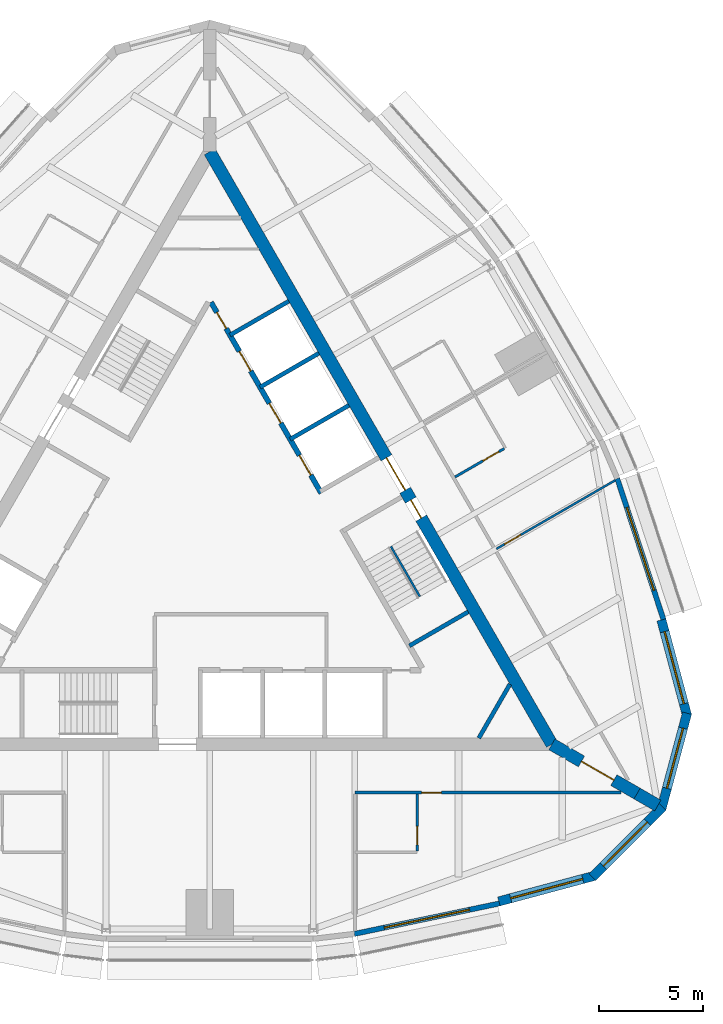
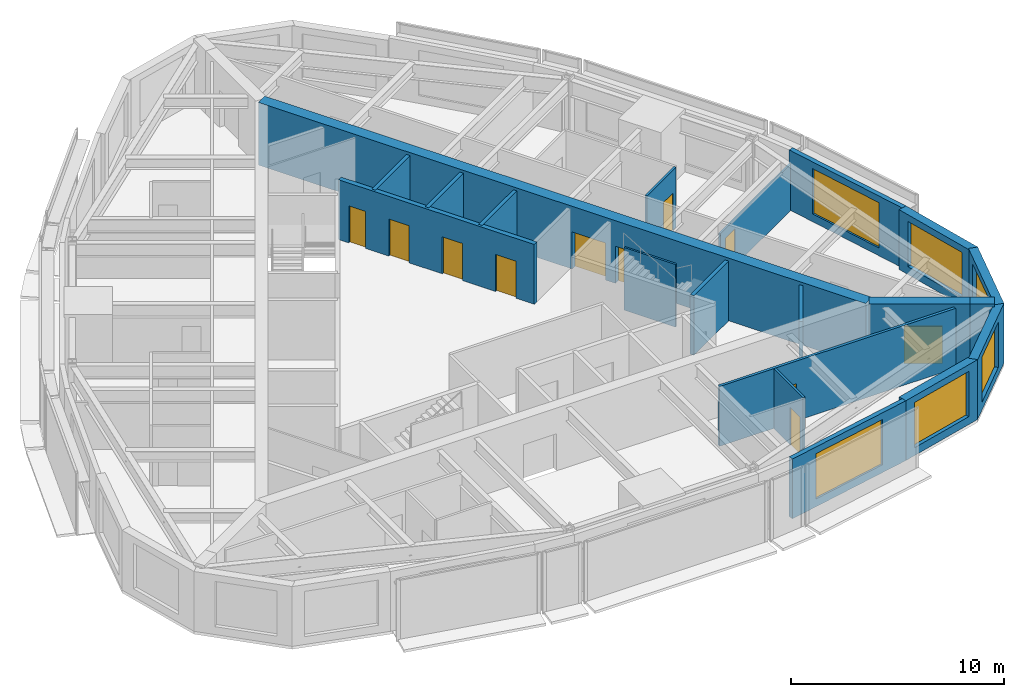
# One storey, part 9 of 12: 20 walls, 11 doors, 6 windows, 17 openings.
"""IFC4 building model written with IfcOpenShell, lengths in metres."""

from ifc_helpers import new_model, si_unit, direction, frame, frame_2d, origin, place, context, subcontext, project, spatial, polyline, rectangle, outline, extrude, material, layer, layer_set, type_object, element, fill, save


model = new_model("IFC4")

# Units and contexts
model_context = context("Model", 3, precision=1e-05, world=origin(), true_north=direction((0.0, 1.0)))
body_context = subcontext(model_context, "Body", "Model", "MODEL_VIEW")
ifc_project = project(units=[si_unit("LENGTHUNIT", "METRE"), si_unit("AREAUNIT", "SQUARE_METRE"), si_unit("VOLUMEUNIT", "CUBIC_METRE"), si_unit("PLANEANGLEUNIT", "RADIAN"), si_unit("MASSUNIT", "GRAM", prefix="KILO")], contexts=[model_context])

# Site, building, storey
site_placement = place(None, origin())
site = spatial("IfcSite", under=ifc_project, at=site_placement, CompositionType="ELEMENT")
building_placement = place(site_placement, origin())
building = spatial("IfcBuilding", under=site, at=building_placement, Name="Trikona Tower", CompositionType="ELEMENT")
storey_placement = place(building_placement, frame((0.0, 0.0, 250.10009765625)))
storey = spatial("IfcBuildingStorey", under=building, at=storey_placement, Name="L66", CompositionType="ELEMENT", Elevation=250.10009765625)

# Wall, opening, door
ifc_material_1 = material(Name="Metal stud and cement board", Category="gypsum")
ifc_layer_1 = layer(ifc_material_1, 0.1201171875)
ifc_layer_set_1 = layer_set([ifc_layer_1], Name="Bathroom wall 120")
wall_type_1 = type_object("IfcWallType", Name="Bathroom wall 120", PredefinedType="PLUMBINGWALL", material=ifc_layer_set_1)
wall_1_placement = place(storey_placement, frame((10.0, -11.92626953125, 0.0), z_axis=(0.0, 0.0, 1.0), x_axis=(0.0, -1.0, 0.0)))
wall_1 = element("IfcWall", 1, at=wall_1_placement, inside=storey, type_object=wall_type_1, Name="Bathroom wall 6602", PredefinedType="PLUMBINGWALL", context=body_context, shape_type="SweptSolid", body=[
    extrude(rectangle(XDim=2.739990234375, YDim=0.1201171875, at=frame_2d((1.3701171875, 0.0))), origin(), (0.0, 0.0, 1.0), 3.434814453125),
])
opening_1_placement = place(wall_1_placement, frame((1.550048828125, 0.0, 0.0)))
opening_1 = element("IfcOpeningElement", 2, at=opening_1_placement, cuts=wall_1, Name="Opening D2", PredefinedType="OPENING", context=body_context, shape_type="SweptSolid", body=[
    extrude(rectangle(XDim=0.89990234375, YDim=2.1298828125, at=frame_2d((0.449951171875, 1.06494140625))), frame((0.0, 0.070068359375, 0.0), z_axis=(0.0, -1.0, 0.0), x_axis=(1.0, 0.0, 0.0)), (0.0, 0.0, 1.0), 0.14013671875),
])
ifc_material_2 = material(Name="Steel door frame with solid-core timber leaf", Category="steel")
door_type_1 = type_object("IfcDoorType", Name="Bathroom door 900x2130", OperationType="SLIDING_TO_LEFT", PredefinedType="DOOR", material=ifc_material_2)
door_1_placement = place(opening_1_placement, origin())
door_1 = element("IfcDoor", 3, at=door_1_placement, inside=storey, type_object=door_type_1, Name="Bathroom door 6602", OperationType="SLIDING_TO_LEFT", OverallHeight=2.1298828125, OverallWidth=0.89990234375, PredefinedType="DOOR", context=body_context, shape_type="SweptSolid", body=[
    extrude(rectangle(XDim=0.89990234375, YDim=2.1298828125, at=frame_2d((0.449951171875, 1.06494140625))), frame((0.0, 0.02490234375, 0.0), z_axis=(0.0, -1.0, 0.0), x_axis=(1.0, 0.0, 0.0)), (0.0, 0.0, 1.0), 0.050048828125),
])
fill(opening_1, door_1)

wall_2_placement = place(storey_placement, frame((11.82861328125, 3.364990234375, 0.0), z_axis=(0.0, 0.0, 1.0), x_axis=(0.865997131366, 0.500048966069, 0.0)))
wall_2 = element("IfcWall", 4, at=wall_2_placement, inside=storey, type_object=wall_type_1, Name="Bathroom wall 6603.1", PredefinedType="PLUMBINGWALL", context=body_context, shape_type="SweptSolid", body=[
    extrude(rectangle(XDim=2.739990234375, YDim=0.1201171875, at=frame_2d((1.3701171875, 0.0))), origin(), (0.0, 0.0, 1.0), 3.434814453125),
])
opening_2_placement = place(wall_2_placement, frame((1.550048828125, 0.0, 0.0)))
opening_2 = element("IfcOpeningElement", 5, at=opening_2_placement, cuts=wall_2, Name="Opening D2", PredefinedType="OPENING", context=body_context, shape_type="SweptSolid", body=[
    extrude(rectangle(XDim=0.89990234375, YDim=2.1298828125, at=frame_2d((0.449951171875, 1.06494140625))), frame((0.0, 0.070068359375, 0.0), z_axis=(0.0, -1.0, 0.0), x_axis=(1.0, 0.0, 0.0)), (0.0, 0.0, 1.0), 0.14013671875),
])
door_2_placement = place(opening_2_placement, origin())
door_2 = element("IfcDoor", 6, at=door_2_placement, inside=storey, type_object=door_type_1, Name="Bathroom door 6603.1", OperationType="SLIDING_TO_LEFT", OverallHeight=2.1298828125, OverallWidth=0.89990234375, PredefinedType="DOOR", context=body_context, shape_type="SweptSolid", body=[
    extrude(rectangle(XDim=0.89990234375, YDim=2.1298828125, at=frame_2d((0.449951171875, 1.06494140625))), frame((0.0, 0.02490234375, 0.0), z_axis=(0.0, -1.0, 0.0), x_axis=(1.0, 0.0, 0.0)), (0.0, 0.0, 1.0), 0.050048828125),
])
fill(opening_2, door_2)

# Wall, opening, window
ifc_material_3 = material(Name="Brick-faced precast concrete", Category="masonry")
ifc_layer_2 = layer(ifc_material_3, 0.449951171875)
ifc_layer_set_2 = layer_set([ifc_layer_2], Name="Brick-faced corner wall 450")
wall_type_2 = type_object("IfcWallType", Name="Brick-faced corner wall 450", PredefinedType="SOLIDWALL", material=ifc_layer_set_2)
wall_3_placement = place(storey_placement, frame((13.94189453125, -17.103271484375, 0.0), z_axis=(0.0, 0.0, 1.0), x_axis=(0.965913862671, 0.258863689806, 0.0)))
wall_3 = element("IfcWall", 7, at=wall_3_placement, inside=storey, type_object=wall_type_2, Name="External wall L66-05", PredefinedType="SOLIDWALL", context=body_context, shape_type="SweptSolid", body=[
    extrude(rectangle(XDim=4.78173828125, YDim=0.449951171875, at=frame_2d((2.390869140625, 0.0))), origin(), (0.0, 0.0, 1.0), 3.434814453125),
])
opening_3_placement = place(wall_3_placement, frame((0.5908203125, 0.0, 0.449951171875)))
opening_3 = element("IfcOpeningElement", 8, at=opening_3_placement, cuts=wall_3, Name="Opening W3626", PredefinedType="OPENING", context=body_context, shape_type="SweptSolid", body=[
    extrude(rectangle(XDim=3.60009765625, YDim=2.60009765625, at=frame_2d((1.800048828125, 1.300048828125))), frame((0.0, 0.23486328125, 0.0), z_axis=(0.0, -1.0, 0.0), x_axis=(1.0, 0.0, 0.0)), (0.0, 0.0, 1.0), 0.469970703125),
])
ifc_material_4 = material(Name="Aluminium-framed double glazing", Category="aluminium")
window_type_1 = type_object("IfcWindowType", Name="Window 3600x2600", PartitioningType="SINGLE_PANEL", PredefinedType="WINDOW", material=ifc_material_4)
window_1_placement = place(opening_3_placement, origin())
window_1 = element("IfcWindow", 9, at=window_1_placement, inside=storey, type_object=window_type_1, Name="Window 6602", OverallHeight=2.60009765625, OverallWidth=3.60009765625, PartitioningType="SINGLE_PANEL", PredefinedType="WINDOW", context=body_context, shape_type="SweptSolid", body=[
    extrude(rectangle(XDim=3.60009765625, YDim=2.60009765625, at=frame_2d((1.800048828125, 1.300048828125))), frame((0.0, 0.030029296875, 0.0), z_axis=(0.0, -1.0, 0.0), x_axis=(1.0, 0.0, 0.0)), (0.0, 0.0, 1.0), 0.06005859375),
])
fill(opening_3, window_1)

wall_4_placement = place(storey_placement, frame((18.459716796875, -15.923828125, 0.0), z_axis=(0.0, 0.0, 1.0), x_axis=(0.707081252484, 0.707132308968, 0.0)))
wall_4 = element("IfcWall", 10, at=wall_4_placement, inside=storey, type_object=wall_type_2, Name="External wall L66-06", PredefinedType="SOLIDWALL", context=body_context, shape_type="SweptSolid", body=[
    extrude(outline(polyline([(4.78173828125, 0.22509765625), (4.722900390625, 0.22509765625), (4.37548828125, 0.1318359375), (4.3505859375, 0.22509765625), (0.0, 0.22509765625), (0.0, -0.22509765625), (4.78173828125, -0.22509765625), (4.78173828125, 0.22509765625)])), origin(), (0.0, 0.0, 1.0), 3.434814453125),
])
opening_4_placement = place(wall_4_placement, frame((0.750244140625, 0.0, 0.449951171875)))
opening_4 = element("IfcOpeningElement", 11, at=opening_4_placement, cuts=wall_4, Name="Opening W3026", PredefinedType="OPENING", context=body_context, shape_type="SweptSolid", body=[
    extrude(rectangle(XDim=3.0, YDim=2.60009765625, at=frame_2d((1.5, 1.300048828125))), frame((0.0, 0.23486328125, 0.0), z_axis=(0.0, -1.0, 0.0), x_axis=(1.0, 0.0, 0.0)), (0.0, 0.0, 1.0), 0.469970703125),
])
ifc_material_5 = material(Name="Aluminium-framed double glazing", Category="aluminium")
window_type_2 = type_object("IfcWindowType", Name="Window 3000x2600", PartitioningType="SINGLE_PANEL", PredefinedType="WINDOW", material=ifc_material_5)
window_2_placement = place(opening_4_placement, origin())
window_2 = element("IfcWindow", 12, at=window_2_placement, inside=storey, type_object=window_type_2, Name="Window 6602", OverallHeight=2.60009765625, OverallWidth=3.0, PartitioningType="SINGLE_PANEL", PredefinedType="WINDOW", context=body_context, shape_type="SweptSolid", body=[
    extrude(rectangle(XDim=3.0, YDim=2.60009765625, at=frame_2d((1.5, 1.300048828125))), frame((0.0, 0.030029296875, 0.0), z_axis=(0.0, -1.0, 0.0), x_axis=(1.0, 0.0, 0.0)), (0.0, 0.0, 1.0), 0.06005859375),
])
fill(opening_4, window_2)

wall_5_placement = place(storey_placement, frame((21.78271484375, -12.6435546875, 0.0), z_axis=(0.0, 0.0, 1.0), x_axis=(0.25880328844, 0.965930048136, 0.0)))
wall_5 = element("IfcWall", 13, at=wall_5_placement, inside=storey, type_object=wall_type_2, Name="External wall L66-07", PredefinedType="SOLIDWALL", context=body_context, shape_type="SweptSolid", body=[
    extrude(outline(polyline([(4.78173828125, 0.22509765625), (0.43115234375, 0.22509765625), (0.40625, 0.132080078125), (0.0595703125, 0.22509765625), (0.0, 0.22509765625), (0.0, -0.22509765625), (4.78173828125, -0.22509765625), (4.78173828125, 0.22509765625)])), origin(), (0.0, 0.0, 1.0), 3.434814453125),
])
opening_5_placement = place(wall_5_placement, frame((1.031494140625, 0.0, 0.449951171875)))
opening_5 = element("IfcOpeningElement", 14, at=opening_5_placement, cuts=wall_5, Name="Opening W3026", PredefinedType="OPENING", context=body_context, shape_type="SweptSolid", body=[
    extrude(rectangle(XDim=3.0, YDim=2.60009765625, at=frame_2d((1.5, 1.300048828125))), frame((0.0, 0.23486328125, 0.0), z_axis=(0.0, -1.0, 0.0), x_axis=(1.0, 0.0, 0.0)), (0.0, 0.0, 1.0), 0.469970703125),
])
window_3_placement = place(opening_5_placement, origin())
window_3 = element("IfcWindow", 15, at=window_3_placement, inside=storey, type_object=window_type_2, Name="Window 6603", OverallHeight=2.60009765625, OverallWidth=3.0, PartitioningType="SINGLE_PANEL", PredefinedType="WINDOW", context=body_context, shape_type="SweptSolid", body=[
    extrude(rectangle(XDim=3.0, YDim=2.60009765625, at=frame_2d((1.5, 1.300048828125))), frame((0.0, 0.030029296875, 0.0), z_axis=(0.0, -1.0, 0.0), x_axis=(1.0, 0.0, 0.0)), (0.0, 0.0, 1.0), 0.06005859375),
])
fill(opening_5, window_3)

wall_6_placement = place(storey_placement, frame((23.020263671875, -8.14111328125, 0.0), z_axis=(0.0, 0.0, 1.0), x_axis=(-0.25880328844, 0.965930048136, 0.0)))
wall_6 = element("IfcWall", 16, at=wall_6_placement, inside=storey, type_object=wall_type_2, Name="External wall L66-08", PredefinedType="SOLIDWALL", context=body_context, shape_type="SweptSolid", body=[
    extrude(rectangle(XDim=4.78173828125, YDim=0.449951171875, at=frame_2d((2.390869140625, 0.0))), origin(), (0.0, 0.0, 1.0), 3.434814453125),
])
opening_6_placement = place(wall_6_placement, frame((0.5908203125, 0.0, 0.449951171875)))
opening_6 = element("IfcOpeningElement", 17, at=opening_6_placement, cuts=wall_6, Name="Opening W3626", PredefinedType="OPENING", context=body_context, shape_type="SweptSolid", body=[
    extrude(rectangle(XDim=3.60009765625, YDim=2.60009765625, at=frame_2d((1.800048828125, 1.300048828125))), frame((0.0, 0.23486328125, 0.0), z_axis=(0.0, -1.0, 0.0), x_axis=(1.0, 0.0, 0.0)), (0.0, 0.0, 1.0), 0.469970703125),
])
window_4_placement = place(opening_6_placement, origin())
window_4 = element("IfcWindow", 18, at=window_4_placement, inside=storey, type_object=window_type_1, Name="Window 6603", OverallHeight=2.60009765625, OverallWidth=3.60009765625, PartitioningType="SINGLE_PANEL", PredefinedType="WINDOW", context=body_context, shape_type="SweptSolid", body=[
    extrude(rectangle(XDim=3.60009765625, YDim=2.60009765625, at=frame_2d((1.800048828125, 1.300048828125))), frame((0.0, 0.030029296875, 0.0), z_axis=(0.0, -1.0, 0.0), x_axis=(1.0, 0.0, 0.0)), (0.0, 0.0, 1.0), 0.06005859375),
])
fill(opening_6, window_4)

# Wall, opening, door
ifc_material_6 = material(Name="Concrete f'c 10000 psi", Category="concrete")
ifc_layer_3 = layer(ifc_material_6, 0.60009765625)
ifc_layer_set_3 = layer_set([ifc_layer_3], Name="Buttress wall 600")
wall_type_3 = type_object("IfcWallType", Name="Buttress wall 600", PredefinedType="SHEAR", material=ifc_layer_set_3)
wall_7_placement = place(storey_placement, frame((16.5, -9.5263671875, 0.0), z_axis=(0.0, 0.0, 1.0), x_axis=(0.866031398331, -0.499989616998, 0.0)))
wall_7 = element("IfcWall", 19, at=wall_7_placement, inside=storey, type_object=wall_type_3, Name="Buttress wall 1", PredefinedType="SHEAR", context=body_context, shape_type="SweptSolid", body=[
    extrude(rectangle(XDim=4.74609375, YDim=0.60009765625, at=frame_2d((2.373046875, 0.0))), origin(), (0.0, 0.0, 1.0), 3.599853515625),
])
opening_7_placement = place(wall_7_placement, frame((1.64990234375, 0.0, 0.0)))
opening_7 = element("IfcOpeningElement", 20, at=opening_7_placement, cuts=wall_7, Name="Opening D10", PredefinedType="OPENING", context=body_context, shape_type="SweptSolid", body=[
    extrude(rectangle(XDim=1.800048828125, YDim=2.1298828125, at=frame_2d((0.89990234375, 1.06494140625))), frame((0.0, 0.31005859375, 0.0), z_axis=(0.0, -1.0, 0.0), x_axis=(1.0, 0.0, 0.0)), (0.0, 0.0, 1.0), 0.6201171875),
])
ifc_material_7 = material(Name="Hollow metal door and frame", Category="steel")
door_type_2 = type_object("IfcDoorType", Name="Cross-corridor door pair 1800x2130", OperationType="DOUBLE_DOOR_DOUBLE_SWING", PredefinedType="DOOR", material=ifc_material_7)
door_3_placement = place(opening_7_placement, origin())
door_3 = element("IfcDoor", 21, at=door_3_placement, inside=storey, type_object=door_type_2, Name="Cross-corridor door 1", OperationType="DOUBLE_DOOR_DOUBLE_SWING", OverallHeight=2.1298828125, OverallWidth=1.800048828125, PredefinedType="DOOR", context=body_context, shape_type="SweptSolid", body=[
    extrude(rectangle(XDim=1.800048828125, YDim=2.1298828125, at=frame_2d((0.89990234375, 1.06494140625))), frame((0.0, 0.02490234375, 0.0), z_axis=(0.0, -1.0, 0.0), x_axis=(1.0, 0.0, 0.0)), (0.0, 0.0, 1.0), 0.050048828125),
])
fill(opening_7, door_3)

# Wall
wall_8_placement = place(storey_placement, frame((20.6103515625, -11.8994140625, 0.0), z_axis=(0.0, 0.0, 1.0), x_axis=(0.866009537788, -0.500027479704, 0.0)))
element("IfcWall", 22, at=wall_8_placement, inside=storey, type_object=wall_type_3, Name="Buttress wall 1 part 2", PredefinedType="SHEAR", context=body_context, shape_type="SweptSolid", body=[
    extrude(rectangle(XDim=1.15478515625, YDim=0.60009765625, at=frame_2d((0.577392578125, 0.0))), origin(), (0.0, 0.0, 1.0), 3.599853515625),
])

# Wall, openings, doors
ifc_material_8 = material(Name="Concrete f'c 10000 psi", Category="concrete")
ifc_layer_4 = layer(ifc_material_8, 0.60009765625)
ifc_layer_set_4 = layer_set([ifc_layer_4], Name="Core wall 600")
wall_type_4 = type_object("IfcWallType", Name="Core wall 600", PredefinedType="SHEAR", material=ifc_layer_set_4)
wall_9_placement = place(storey_placement, frame((16.5, -9.5263671875, 0.0), z_axis=(0.0, 0.0, 1.0), x_axis=(-0.499999749417, 0.866025548458, 0.0)))
wall_9 = element("IfcWall", 23, at=wall_9_placement, inside=storey, type_object=wall_type_4, Name="Core wall B", PredefinedType="SHEAR", context=body_context, shape_type="SweptSolid", body=[
    extrude(rectangle(XDim=33.0, YDim=0.60009765625, at=frame_2d((16.5, 0.0))), origin(), (0.0, 0.0, 1.0), 3.599853515625),
])
opening_8_placement = place(wall_9_placement, frame((14.14990234375, 0.0, 0.0)))
opening_8 = element("IfcOpeningElement", 24, at=opening_8_placement, cuts=wall_9, Name="Opening D6", PredefinedType="OPENING", context=body_context, shape_type="SweptSolid", body=[
    extrude(rectangle(XDim=1.800048828125, YDim=2.1298828125, at=frame_2d((0.89990234375, 1.06494140625))), frame((0.0, 0.31005859375, 0.0), z_axis=(0.0, -1.0, 0.0), x_axis=(1.0, 0.0, 0.0)), (0.0, 0.0, 1.0), 0.6201171875),
])
opening_9_placement = place(wall_9_placement, frame((12.60009765625, 0.0, 0.0)))
opening_9 = element("IfcOpeningElement", 25, at=opening_9_placement, cuts=wall_9, Name="Opening D5", PredefinedType="OPENING", context=body_context, shape_type="SweptSolid", body=[
    extrude(rectangle(XDim=1.0, YDim=2.1298828125, at=frame_2d((0.5, 1.06494140625))), frame((0.0, 0.31005859375, 0.0), z_axis=(0.0, -1.0, 0.0), x_axis=(1.0, 0.0, 0.0)), (0.0, 0.0, 1.0), 0.6201171875),
])
ifc_material_9 = material(Name="Hollow metal door and frame", Category="steel")
door_type_3 = type_object("IfcDoorType", Name="Lobby door pair 1800x2130", OperationType="DOUBLE_DOOR_SINGLE_SWING", PredefinedType="DOOR", material=ifc_material_9)
door_4_placement = place(opening_8_placement, origin())
door_4 = element("IfcDoor", 26, at=door_4_placement, inside=storey, type_object=door_type_3, Name="Lift lobby door B", OperationType="DOUBLE_DOOR_SINGLE_SWING", OverallHeight=2.1298828125, OverallWidth=1.800048828125, PredefinedType="DOOR", context=body_context, shape_type="SweptSolid", body=[
    extrude(rectangle(XDim=1.800048828125, YDim=2.1298828125, at=frame_2d((0.89990234375, 1.06494140625))), frame((0.0, 0.02490234375, 0.0), z_axis=(0.0, -1.0, 0.0), x_axis=(1.0, 0.0, 0.0)), (0.0, 0.0, 1.0), 0.050048828125),
])
fill(opening_8, door_4)
ifc_material_10 = material(Name="Hollow metal door and frame", Category="steel")
door_type_4 = type_object("IfcDoorType", Name="Stair door 1000x2130", OperationType="SINGLE_SWING_LEFT", PredefinedType="DOOR", material=ifc_material_10)
door_5_placement = place(opening_9_placement, origin())
door_5 = element("IfcDoor", 27, at=door_5_placement, inside=storey, type_object=door_type_4, Name="Stair B door", OperationType="SINGLE_SWING_RIGHT", OverallHeight=2.1298828125, OverallWidth=1.0, PredefinedType="DOOR", context=body_context, shape_type="SweptSolid", body=[
    extrude(rectangle(XDim=1.0, YDim=2.1298828125, at=frame_2d((0.5, 1.06494140625))), frame((0.0, 0.02490234375, 0.0), z_axis=(0.0, -1.0, 0.0), x_axis=(1.0, 0.0, 0.0)), (0.0, 0.0, 1.0), 0.050048828125),
])
fill(opening_9, door_5)

# Wall, opening, door
ifc_material_11 = material(Name="Metal stud and gypsum board, 1-hour", Category="gypsum")
ifc_layer_5 = layer(ifc_material_11, 0.14990234375)
ifc_layer_set_5 = layer_set([ifc_layer_5], Name="Corridor wall 150")
wall_type_5 = type_object("IfcWallType", Name="Corridor wall 150", PredefinedType="PARTITIONING", material=ifc_layer_set_5)
wall_10_placement = place(storey_placement, frame((7.0, -11.851318359375, 0.0), z_axis=(0.0, 0.0, 1.0), x_axis=(1.0, 0.0, 0.0)))
wall_10 = element("IfcWall", 28, at=wall_10_placement, inside=storey, type_object=wall_type_5, Name="Corridor wall L66-1B", PredefinedType="PARTITIONING", context=body_context, shape_type="SweptSolid", body=[
    extrude(rectangle(XDim=12.826904296875, YDim=0.14990234375, at=frame_2d((6.41357421875, 0.0))), origin(), (0.0, 0.0, 1.0), 3.434814453125),
])
opening_10_placement = place(wall_10_placement, frame((3.22509765625, 0.0, 0.0)))
opening_10 = element("IfcOpeningElement", 29, at=opening_10_placement, cuts=wall_10, Name="Opening D1", PredefinedType="OPENING", context=body_context, shape_type="SweptSolid", body=[
    extrude(rectangle(XDim=0.949951171875, YDim=2.1298828125, at=frame_2d((0.47509765625, 1.06494140625))), frame((0.0, 0.0849609375, 0.0), z_axis=(0.0, -1.0, 0.0), x_axis=(1.0, 0.0, 0.0)), (0.0, 0.0, 1.0), 0.169921875),
])
ifc_material_12 = material(Name="Steel door frame with solid-core timber leaf", Category="steel")
door_type_5 = type_object("IfcDoorType", Name="Guest room door 950x2130", OperationType="SINGLE_SWING_LEFT", PredefinedType="DOOR", material=ifc_material_12)
door_6_placement = place(opening_10_placement, origin())
door_6 = element("IfcDoor", 30, at=door_6_placement, inside=storey, type_object=door_type_5, Name="Room door 6602", OperationType="SINGLE_SWING_LEFT", OverallHeight=2.1298828125, OverallWidth=0.949951171875, PredefinedType="DOOR", context=body_context, shape_type="SweptSolid", body=[
    extrude(rectangle(XDim=0.949951171875, YDim=2.1298828125, at=frame_2d((0.47509765625, 1.06494140625))), frame((0.0, 0.02490234375, 0.0), z_axis=(0.0, -1.0, 0.0), x_axis=(1.0, 0.0, 0.0)), (0.0, 0.0, 1.0), 0.050048828125),
])
fill(opening_10, door_6)

# Wall, openings, doors
ifc_material_13 = material(Name="Concrete f'c 8000 psi", Category="concrete")
ifc_layer_6 = layer(ifc_material_13, 0.25)
ifc_layer_set_6 = layer_set([ifc_layer_6], Name="Hub wall 250")
wall_type_6 = type_object("IfcWallType", Name="Hub wall 250", PredefinedType="SOLIDWALL", material=ifc_layer_set_6)
wall_11_placement = place(storey_placement, frame((5.37890625, 2.5859375, 0.0), z_axis=(0.0, 0.0, 1.0), x_axis=(-0.500001375892, 0.866024609411, 0.0)))
wall_11 = element("IfcWall", 31, at=wall_11_placement, inside=storey, type_object=wall_type_6, Name="Lift lobby wall B2", PredefinedType="SOLIDWALL", context=body_context, shape_type="SweptSolid", body=[
    extrude(rectangle(XDim=10.6328125, YDim=0.25, at=frame_2d((5.31640625, 0.0))), origin(), (0.0, 0.0, 1.0), 3.434814453125),
])
opening_11_placement = place(wall_11_placement, frame((9.1640625, 0.0, 0.0)))
opening_11 = element("IfcOpeningElement", 32, at=opening_11_placement, cuts=wall_11, Name="Opening D14", PredefinedType="OPENING", context=body_context, shape_type="SweptSolid", body=[
    extrude(rectangle(XDim=0.89990234375, YDim=2.1298828125, at=frame_2d((0.449951171875, 1.06494140625))), frame((0.0, 0.135009765625, 0.0), z_axis=(0.0, -1.0, 0.0), x_axis=(1.0, 0.0, 0.0)), (0.0, 0.0, 1.0), 0.27001953125),
])
opening_12_placement = place(wall_11_placement, frame((1.0, 0.0, 0.0)))
opening_12 = element("IfcOpeningElement", 33, at=opening_12_placement, cuts=wall_11, Name="Opening LD", PredefinedType="OPENING", context=body_context, shape_type="SweptSolid", body=[
    extrude(rectangle(XDim=1.10009765625, YDim=2.1298828125, at=frame_2d((0.550048828125, 1.06494140625))), frame((0.0, 0.135009765625, 0.0), z_axis=(0.0, -1.0, 0.0), x_axis=(1.0, 0.0, 0.0)), (0.0, 0.0, 1.0), 0.27001953125),
])
opening_13_placement = place(wall_11_placement, frame((3.89990234375, 0.0, 0.0)))
opening_13 = element("IfcOpeningElement", 34, at=opening_13_placement, cuts=wall_11, Name="Opening LD", PredefinedType="OPENING", context=body_context, shape_type="SweptSolid", body=[
    extrude(rectangle(XDim=1.10009765625, YDim=2.1298828125, at=frame_2d((0.550048828125, 1.06494140625))), frame((0.0, 0.135009765625, 0.0), z_axis=(0.0, -1.0, 0.0), x_axis=(1.0, 0.0, 0.0)), (0.0, 0.0, 1.0), 0.27001953125),
])
opening_14_placement = place(wall_11_placement, frame((6.800048828125, 0.0, 0.0)))
opening_14 = element("IfcOpeningElement", 35, at=opening_14_placement, cuts=wall_11, Name="Opening LD", PredefinedType="OPENING", context=body_context, shape_type="SweptSolid", body=[
    extrude(rectangle(XDim=1.10009765625, YDim=2.1298828125, at=frame_2d((0.550048828125, 1.06494140625))), frame((0.0, 0.135009765625, 0.0), z_axis=(0.0, -1.0, 0.0), x_axis=(1.0, 0.0, 0.0)), (0.0, 0.0, 1.0), 0.27001953125),
])
ifc_material_14 = material(Name="Stainless steel lift landing door", Category="steel")
door_type_6 = type_object("IfcDoorType", Name="Lift landing door 1100x2130", OperationType="DOUBLE_DOOR_SLIDING", PredefinedType="USERDEFINED", material=ifc_material_14)
door_7_placement = place(opening_12_placement, origin())
door_7 = element("IfcDoor", 36, at=door_7_placement, inside=storey, type_object=door_type_6, Name="Lift landing door L3-1", ObjectType="LIFT LANDING DOOR", OperationType="DOUBLE_DOOR_SLIDING", OverallHeight=2.1298828125, OverallWidth=1.10009765625, PredefinedType="USERDEFINED", context=body_context, shape_type="SweptSolid", body=[
    extrude(rectangle(XDim=1.10009765625, YDim=2.1298828125, at=frame_2d((0.550048828125, 1.06494140625))), frame((0.0, 0.02490234375, 0.0), z_axis=(0.0, -1.0, 0.0), x_axis=(1.0, 0.0, 0.0)), (0.0, 0.0, 1.0), 0.050048828125),
])
fill(opening_12, door_7)
door_8_placement = place(opening_13_placement, origin())
door_8 = element("IfcDoor", 37, at=door_8_placement, inside=storey, type_object=door_type_6, Name="Lift landing door L3-2", ObjectType="LIFT LANDING DOOR", OperationType="DOUBLE_DOOR_SLIDING", OverallHeight=2.1298828125, OverallWidth=1.10009765625, PredefinedType="USERDEFINED", context=body_context, shape_type="SweptSolid", body=[
    extrude(rectangle(XDim=1.10009765625, YDim=2.1298828125, at=frame_2d((0.550048828125, 1.06494140625))), frame((0.0, 0.02490234375, 0.0), z_axis=(0.0, -1.0, 0.0), x_axis=(1.0, 0.0, 0.0)), (0.0, 0.0, 1.0), 0.050048828125),
])
fill(opening_13, door_8)
door_9_placement = place(opening_14_placement, origin())
door_9 = element("IfcDoor", 38, at=door_9_placement, inside=storey, type_object=door_type_6, Name="Lift landing door L3-3", ObjectType="LIFT LANDING DOOR", OperationType="DOUBLE_DOOR_SLIDING", OverallHeight=2.1298828125, OverallWidth=1.10009765625, PredefinedType="USERDEFINED", context=body_context, shape_type="SweptSolid", body=[
    extrude(rectangle(XDim=1.10009765625, YDim=2.1298828125, at=frame_2d((0.550048828125, 1.06494140625))), frame((0.0, 0.02490234375, 0.0), z_axis=(0.0, -1.0, 0.0), x_axis=(1.0, 0.0, 0.0)), (0.0, 0.0, 1.0), 0.050048828125),
])
fill(opening_14, door_9)
ifc_material_15 = material(Name="Hollow metal door and frame", Category="steel")
door_type_7 = type_object("IfcDoorType", Name="Service room door 900x2130", OperationType="SINGLE_SWING_LEFT", PredefinedType="DOOR", material=ifc_material_15)
door_10_placement = place(opening_11_placement, origin())
door_10 = element("IfcDoor", 39, at=door_10_placement, inside=storey, type_object=door_type_7, Name="Door Linen store LIN", OperationType="SINGLE_SWING_RIGHT", OverallHeight=2.1298828125, OverallWidth=0.89990234375, PredefinedType="DOOR", context=body_context, shape_type="SweptSolid", body=[
    extrude(rectangle(XDim=0.89990234375, YDim=2.1298828125, at=frame_2d((0.449951171875, 1.06494140625))), frame((0.0, 0.02490234375, 0.0), z_axis=(0.0, -1.0, 0.0), x_axis=(1.0, 0.0, 0.0)), (0.0, 0.0, 1.0), 0.050048828125),
])
fill(opening_11, door_10)

# Wall, opening, window
ifc_material_16 = material(Name="Insulated precast concrete spandrel panel", Category="concrete")
ifc_layer_7 = layer(ifc_material_16, 0.25)
ifc_layer_set_7 = layer_set([ifc_layer_7], Name="Inner skin wall 250")
wall_type_7 = type_object("IfcWallType", Name="Inner skin wall 250", PredefinedType="STANDARD", material=ifc_layer_set_7)
wall_12_placement = place(storey_placement, frame((6.974365234375, -18.668212890625, 0.0), z_axis=(0.0, 0.0, 1.0), x_axis=(0.978654320409, 0.205513311355, 0.0)))
wall_12 = element("IfcWall", 40, at=wall_12_placement, inside=storey, type_object=wall_type_7, Name="External wall L66-04", PredefinedType="STANDARD", context=body_context, shape_type="SweptSolid", body=[
    extrude(rectangle(XDim=7.152587890625, YDim=0.25, at=frame_2d((3.576171875, 0.0))), origin(), (0.0, 0.0, 1.0), 3.434814453125),
])
opening_15_placement = place(wall_12_placement, frame((1.476318359375, 0.0, 0.449951171875)))
opening_15 = element("IfcOpeningElement", 41, at=opening_15_placement, cuts=wall_12, Name="Opening W4226", PredefinedType="OPENING", context=body_context, shape_type="SweptSolid", body=[
    extrude(rectangle(XDim=4.199951171875, YDim=2.60009765625, at=frame_2d((2.10009765625, 1.300048828125))), frame((0.0, 0.135009765625, 0.0), z_axis=(0.0, -1.0, 0.0), x_axis=(1.0, 0.0, 0.0)), (0.0, 0.0, 1.0), 0.27001953125),
])
ifc_material_17 = material(Name="Aluminium-framed double glazing", Category="aluminium")
window_type_3 = type_object("IfcWindowType", Name="Window 4200x2600", PartitioningType="SINGLE_PANEL", PredefinedType="WINDOW", material=ifc_material_17)
window_5_placement = place(opening_15_placement, origin())
window_5 = element("IfcWindow", 42, at=window_5_placement, inside=storey, type_object=window_type_3, Name="Window 6602", OverallHeight=2.60009765625, OverallWidth=4.199951171875, PartitioningType="SINGLE_PANEL", PredefinedType="WINDOW", context=body_context, shape_type="SweptSolid", body=[
    extrude(rectangle(XDim=4.199951171875, YDim=2.60009765625, at=frame_2d((2.10009765625, 1.300048828125))), frame((0.0, 0.030029296875, 0.0), z_axis=(0.0, -1.0, 0.0), x_axis=(1.0, 0.0, 0.0)), (0.0, 0.0, 1.0), 0.06005859375),
])
fill(opening_15, window_5)

wall_13_placement = place(storey_placement, frame((21.881103515625, -3.5029296875, 0.0), z_axis=(0.0, 0.0, 1.0), x_axis=(-0.311328857048, 0.95030223759, 0.0)))
wall_13 = element("IfcWall", 43, at=wall_13_placement, inside=storey, type_object=wall_type_7, Name="External wall L66-09", PredefinedType="STANDARD", context=body_context, shape_type="SweptSolid", body=[
    extrude(rectangle(XDim=7.152587890625, YDim=0.25, at=frame_2d((3.576171875, 0.0))), origin(), (0.0, 0.0, 1.0), 3.434814453125),
])
opening_16_placement = place(wall_13_placement, frame((1.476318359375, 0.0, 0.449951171875)))
opening_16 = element("IfcOpeningElement", 44, at=opening_16_placement, cuts=wall_13, Name="Opening W4226", PredefinedType="OPENING", context=body_context, shape_type="SweptSolid", body=[
    extrude(rectangle(XDim=4.199951171875, YDim=2.60009765625, at=frame_2d((2.10009765625, 1.300048828125))), frame((0.0, 0.135009765625, 0.0), z_axis=(0.0, -1.0, 0.0), x_axis=(1.0, 0.0, 0.0)), (0.0, 0.0, 1.0), 0.27001953125),
])
window_6_placement = place(opening_16_placement, origin())
window_6 = element("IfcWindow", 45, at=window_6_placement, inside=storey, type_object=window_type_3, Name="Window 6603", OverallHeight=2.60009765625, OverallWidth=4.199951171875, PartitioningType="SINGLE_PANEL", PredefinedType="WINDOW", context=body_context, shape_type="SweptSolid", body=[
    extrude(rectangle(XDim=4.199951171875, YDim=2.60009765625, at=frame_2d((2.10009765625, 1.300048828125))), frame((0.0, 0.030029296875, 0.0), z_axis=(0.0, -1.0, 0.0), x_axis=(1.0, 0.0, 0.0)), (0.0, 0.0, 1.0), 0.06005859375),
])
fill(opening_16, window_6)

# Walls
ifc_material_18 = material(Name="Concrete f'c 8000 psi", Category="concrete")
ifc_layer_8 = layer(ifc_material_18, 0.199951171875)
ifc_layer_set_8 = layer_set([ifc_layer_8], Name="Shaft wall 200")
wall_type_8 = type_object("IfcWallType", Name="Shaft wall 200", PredefinedType="SOLIDWALL", material=ifc_layer_set_8)
for number, where, z_axis, x_axis, name in (
    (46, (3.87890625, 5.18408203125, 0.0), (0.0, 0.0, 1.0), (0.866027924134, 0.499995634601, 0.0), "Shaft wall B4"),
    (47, (2.428955078125, 7.695556640625, 0.0), (0.0, 0.0, 1.0), (0.866027924134, 0.499995634601, 0.0), "Shaft wall B5"),
    (48, (0.97900390625, 10.20703125, 0.0), (0.0, 0.0, 1.0), (0.866027924134, 0.499995634601, 0.0), "Shaft wall B6"),
):
    element("IfcWall", number, at=place(storey_placement, frame(where, z_axis=z_axis, x_axis=x_axis)), inside=storey, type_object=wall_type_8, Name=name, PredefinedType="SOLIDWALL", context=body_context, shape_type="SweptSolid", body=[
        extrude(rectangle(XDim=3.27490234375, YDim=0.199951171875, at=frame_2d((1.637451171875, 0.0))), origin(), (0.0, 0.0, 1.0), 3.434814453125),
    ])
wall_14_placement = place(storey_placement, frame((14.479248046875, -6.626220703125, 0.0), z_axis=(0.0, 0.0, 1.0), x_axis=(-0.499952404951, -0.866052881055, 0.0)))
element("IfcWall", 49, at=wall_14_placement, inside=storey, type_object=wall_type_8, Name="Riser wall L66-RS1", PredefinedType="SOLIDWALL", context=body_context, shape_type="SweptSolid", body=[
    extrude(rectangle(XDim=3.002197265625, YDim=0.199951171875, at=frame_2d((1.5009765625, 0.0))), origin(), (0.0, 0.0, 1.0), 3.434814453125),
])
ifc_material_19 = material(Name="Concrete f'c 8000 psi", Category="concrete")
ifc_layer_9 = layer(ifc_material_19, 0.199951171875)
ifc_layer_set_9 = layer_set([ifc_layer_9], Name="Shaft wall 200 load-bearing")
wall_type_9 = type_object("IfcWallType", Name="Shaft wall 200 load-bearing", PredefinedType="SOLIDWALL", material=ifc_layer_set_9)
wall_15_placement = place(storey_placement, frame((9.62890625, -4.775390625, 0.0), z_axis=(0.0, 0.0, 1.0), x_axis=(0.865995643347, 0.500051543047, 0.0)))
element("IfcWall", 50, at=wall_15_placement, inside=storey, type_object=wall_type_9, Name="Shaft wall B1", PredefinedType="SOLIDWALL", context=body_context, shape_type="SweptSolid", body=[
    extrude(rectangle(XDim=3.275146484375, YDim=0.199951171875, at=frame_2d((1.6376953125, 0.0))), origin(), (0.0, 0.0, 1.0), 3.434814453125),
])
ifc_material_20 = material(Name="Concrete f'c 5000 psi", Category="concrete")
ifc_layer_10 = layer(ifc_material_20, 0.10009765625)
ifc_layer_set_10 = layer_set([ifc_layer_10], Name="Stair spine wall 100")
wall_type_10 = type_object("IfcWallType", Name="Stair spine wall 100", PredefinedType="SOLIDWALL", material=ifc_layer_set_10)
wall_16_placement = place(storey_placement, frame((10.134765625, -2.4013671875, 0.0), z_axis=(0.0, 0.0, 1.0), x_axis=(-0.499992232847, 0.866029888106, 0.0)))
element("IfcWall", 51, at=wall_16_placement, inside=storey, type_object=wall_type_10, Name="Stair B spine wall L66", PredefinedType="SOLIDWALL", context=body_context, shape_type="SweptSolid", body=[
    extrude(rectangle(XDim=2.7939453125, YDim=0.10009765625, at=frame_2d((1.39697265625, 0.0))), origin(), (0.0, 0.0, 1.0), 3.599853515625),
])

# Wall, opening, door
ifc_material_21 = material(Name="Metal stud and gypsum board, acoustic", Category="gypsum")
ifc_layer_11 = layer(ifc_material_21, 0.10009765625)
ifc_layer_set_11 = layer_set([ifc_layer_11], Name="Suite partition 100")
wall_type_11 = type_object("IfcWallType", Name="Suite partition 100", PredefinedType="PARTITIONING", material=ifc_layer_set_11)
wall_17_placement = place(storey_placement, frame((13.82861328125, -0.09912109375, 0.0), z_axis=(0.0, 0.0, 1.0), x_axis=(0.866022562216, 0.500004921708, 0.0)))
wall_17 = element("IfcWall", 52, at=wall_17_placement, inside=storey, type_object=wall_type_11, Name="Suite partition L66 F2 u-7", PredefinedType="PARTITIONING", context=body_context, shape_type="SweptSolid", body=[
    extrude(rectangle(XDim=6.60888671875, YDim=0.10009765625, at=frame_2d((3.304443359375, 0.0))), origin(), (0.0, 0.0, 1.0), 2.677978515625),
])
opening_17_placement = place(wall_17_placement, frame((0.449951171875, 0.0, 0.0)))
opening_17 = element("IfcOpeningElement", 53, at=opening_17_placement, cuts=wall_17, Name="Opening D13", PredefinedType="OPENING", context=body_context, shape_type="SweptSolid", body=[
    extrude(rectangle(XDim=0.89990234375, YDim=2.1298828125, at=frame_2d((0.449951171875, 1.06494140625))), frame((0.0, 0.06005859375, 0.0), z_axis=(0.0, -1.0, 0.0), x_axis=(1.0, 0.0, 0.0)), (0.0, 0.0, 1.0), 0.1201171875),
])
ifc_material_22 = material(Name="Steel door frame with solid-core timber leaf", Category="steel")
door_type_8 = type_object("IfcDoorType", Name="Suite door 900x2130", OperationType="SINGLE_SWING_LEFT", PredefinedType="DOOR", material=ifc_material_22)
door_11_placement = place(opening_17_placement, origin())
door_11 = element("IfcDoor", 54, at=door_11_placement, inside=storey, type_object=door_type_8, Name="Suite door 6603", OperationType="SINGLE_SWING_LEFT", OverallHeight=2.1298828125, OverallWidth=0.89990234375, PredefinedType="DOOR", context=body_context, shape_type="SweptSolid", body=[
    extrude(rectangle(XDim=0.89990234375, YDim=2.1298828125, at=frame_2d((0.449951171875, 1.06494140625))), frame((0.0, 0.02490234375, 0.0), z_axis=(0.0, -1.0, 0.0), x_axis=(1.0, 0.0, 0.0)), (0.0, 0.0, 1.0), 0.050048828125),
])
fill(opening_17, door_11)

save(model, "model.ifc")
